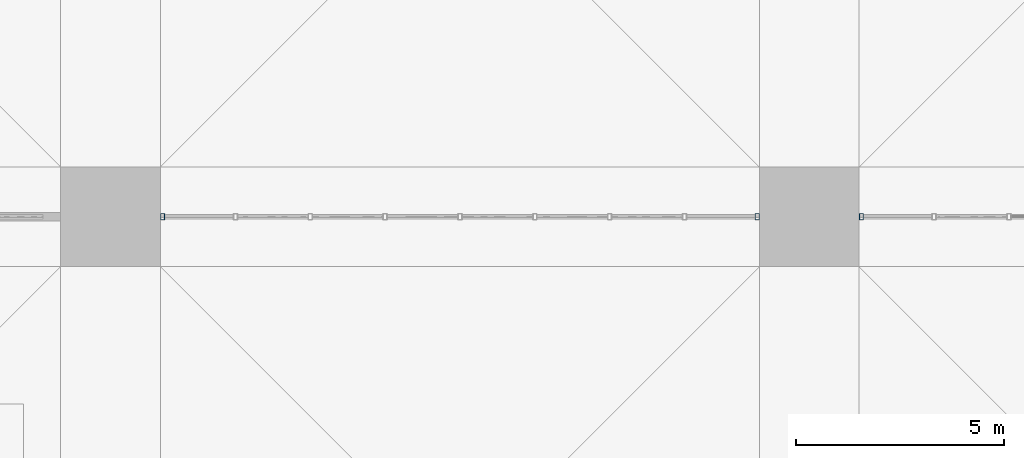
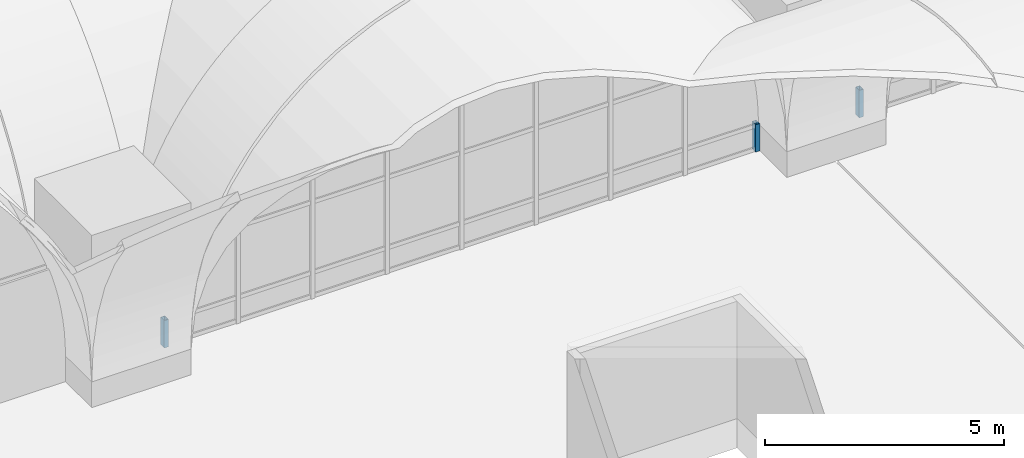
# One storey, part 68 of 169: 3 members, 2 elements without a shape of their own.
"""IFC4 building model written with IfcOpenShell, lengths in metres."""

from ifc_helpers import new_model, si_unit, direction, frame, origin, origin_2d, place, context, subcontext, project, spatial, hollow_rectangle, extrude, material, layer, layer_set, material_profile, profile_set, type_object, element, aggregate, save


model = new_model("IFC4")

# Units and contexts
model_context = context("Model", 3, precision=1e-05, world=origin(), true_north=direction((0.0, 1.0)))
body_context = subcontext(model_context, "Body", "Model", "MODEL_VIEW")
ifc_project = project(units=[si_unit("LENGTHUNIT", "METRE"), si_unit("AREAUNIT", "SQUARE_METRE"), si_unit("VOLUMEUNIT", "CUBIC_METRE"), si_unit("PLANEANGLEUNIT", "RADIAN"), si_unit("MASSUNIT", "GRAM", prefix="KILO")], contexts=[model_context])

# Site, building, storey
site_placement = place(None, origin())
site = spatial("IfcSite", under=ifc_project, at=site_placement, CompositionType="ELEMENT")
building_placement = place(site_placement, origin())
building = spatial("IfcBuilding", under=site, at=building_placement, Name="Verrick Yard Athletic Hall", CompositionType="ELEMENT")
storey_placement = place(building_placement, frame((0.0, 0.0, 4.39990234375)))
storey = spatial("IfcBuildingStorey", under=building, at=storey_placement, Name="L01", CompositionType="ELEMENT", Elevation=4.39990234375)

# Curtain wall, members
ifc_material_1 = material(Name="Aluminium and glass curtain wall", Category="aluminium")
ifc_layer = layer(ifc_material_1, 0.14990234375)
ifc_layer_set = layer_set([ifc_layer], Name="Concourse arch screen")
curtain_wall_type = type_object("IfcCurtainWallType", Name="Concourse arch screen", PredefinedType="NOTDEFINED", material=ifc_layer_set)
curtain_wall_1_placement = place(storey_placement, origin())
curtain_wall_1 = element("IfcCurtainWall", 1, at=curtain_wall_1_placement, inside=storey, type_object=curtain_wall_type, Name="Concourse screen 5", PredefinedType="NOTDEFINED")
ifc_material_2 = material(Name="Structural steel HSS Class C 350W (CSA G40.20/G40.21)", Category="steel")
ifc_material_profile = material_profile(ifc_material_2, hollow_rectangle(XDim=0.1015625, YDim=0.15234375, WallThickness=0.008056640625, at=origin_2d()), Name="HSS152x102x7.9")
ifc_profile_set = profile_set([ifc_material_profile], Name="Structural steel HSS Class C 350W (CSA G40.20/G40.21)")
member_type = type_object("IfcMemberType", Name="Curtain wall mullion HSS152x102x7.9", PredefinedType="MULLION", material=ifc_profile_set)
member_1_placement = place(storey_placement, frame((108.451416015625, 36.0, 0.0), z_axis=(0.0, 0.0, 1.0), x_axis=(1.0, 0.0, 0.0)))
member_1 = element("IfcMember", 2, at=member_1_placement, type_object=member_type, Name="Concourse screen 5 mullion 1", PredefinedType="MULLION", context=body_context, shape_type="SweptSolid", body=[
    extrude(hollow_rectangle(XDim=0.1015625, YDim=0.15234375, WallThickness=0.008056640625, at=origin_2d()), origin(), (0.0, 0.0, 1.0), 0.700927734375),
])
member_2_placement = place(storey_placement, frame((122.748779296875, 36.0, 0.0), z_axis=(0.0, 0.0, 1.0), x_axis=(1.0, 0.0, 0.0)))
member_2 = element("IfcMember", 3, at=member_2_placement, type_object=member_type, Name="Concourse screen 5 mullion 9", PredefinedType="MULLION", context=body_context, shape_type="SweptSolid", body=[
    extrude(hollow_rectangle(XDim=0.1015625, YDim=0.15234375, WallThickness=0.008056640625, at=origin_2d()), origin(), (0.0, 0.0, 1.0), 0.700927734375),
])
aggregate(curtain_wall_1, [member_1, member_2])

# Curtain wall, member
curtain_wall_2_placement = place(storey_placement, origin())
curtain_wall_2 = element("IfcCurtainWall", 4, at=curtain_wall_2_placement, inside=storey, type_object=curtain_wall_type, Name="Concourse screen 6", PredefinedType="NOTDEFINED")
member_3_placement = place(storey_placement, frame((125.251220703125, 36.0, 0.0), z_axis=(0.0, 0.0, 1.0), x_axis=(1.0, 0.0, 0.0)))
member_3 = element("IfcMember", 5, at=member_3_placement, type_object=member_type, Name="Concourse screen 6 mullion 1", PredefinedType="MULLION", context=body_context, shape_type="SweptSolid", body=[
    extrude(hollow_rectangle(XDim=0.1015625, YDim=0.15234375, WallThickness=0.008056640625, at=origin_2d()), origin(), (0.0, 0.0, 1.0), 0.700927734375),
])
aggregate(curtain_wall_2, [member_3])

save(model, "model.ifc")
